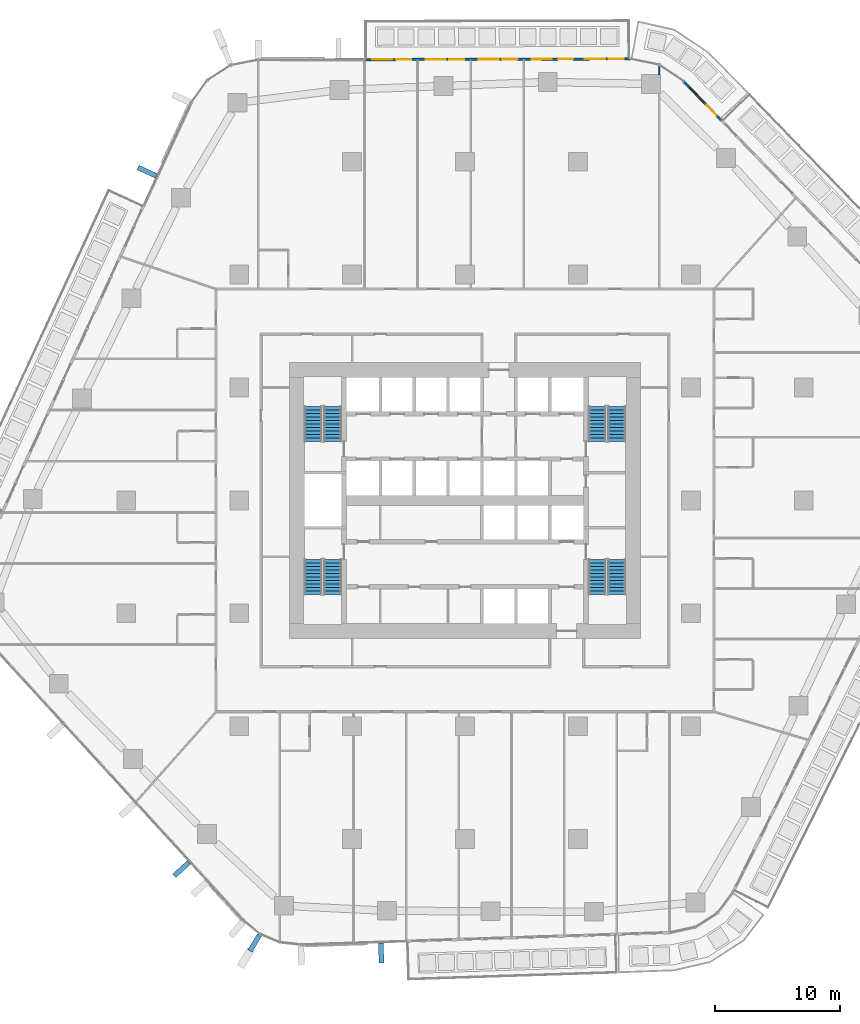
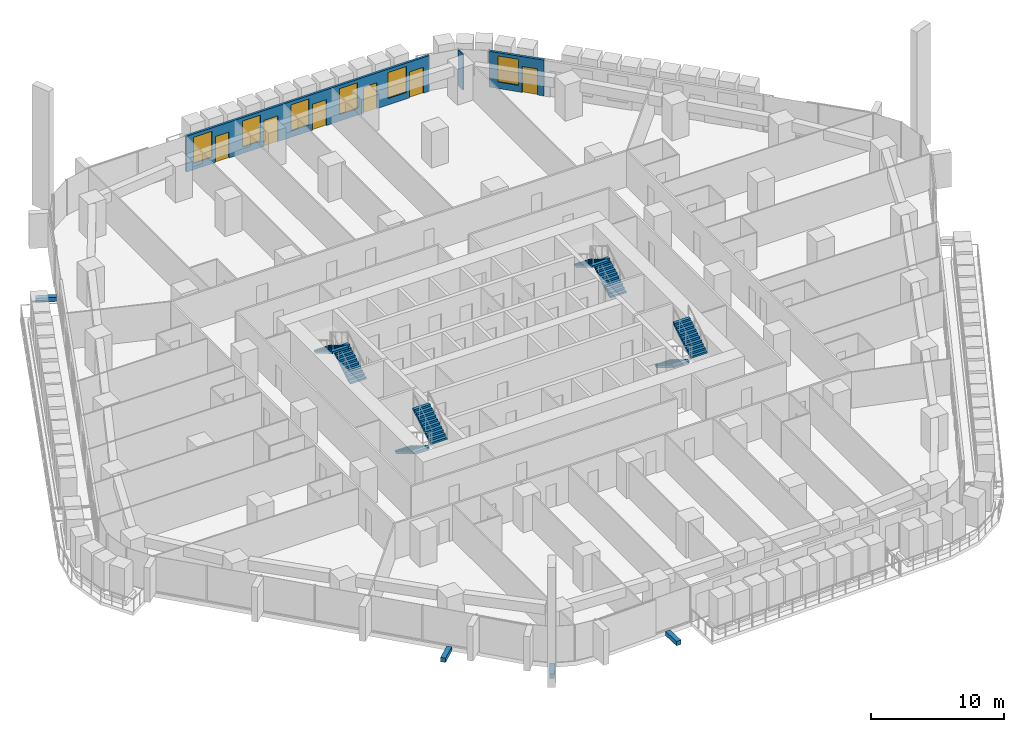
# One storey, part 19 of 27: 8 stair flights, 6 doors, 6 windows, 4 discrete accessories, 3 walls, 12 openings, 4 elements without a shape of their own.
"""IFC4 building model written with IfcOpenShell, lengths in metres."""

from ifc_helpers import new_model, si_unit, direction, frame, frame_2d, origin, origin_2d, place, context, subcontext, project, spatial, polyline, rectangle, outline, extrude, material, layer, layer_set, type_object, element, fill, aggregate, save


model = new_model("IFC4")

# Units and contexts
model_context = context("Model", 3, precision=1e-05, world=origin(), true_north=direction((0.0, 1.0)))
body_context = subcontext(model_context, "Body", "Model", "MODEL_VIEW")
ifc_project = project(units=[si_unit("LENGTHUNIT", "METRE"), si_unit("AREAUNIT", "SQUARE_METRE"), si_unit("VOLUMEUNIT", "CUBIC_METRE"), si_unit("PLANEANGLEUNIT", "RADIAN"), si_unit("MASSUNIT", "GRAM", prefix="KILO")], contexts=[model_context])

# Site, building, storey
site_placement = place(None, origin())
site = spatial("IfcSite", under=ifc_project, at=site_placement, CompositionType="ELEMENT")
building_placement = place(site_placement, origin())
building = spatial("IfcBuilding", under=site, at=building_placement, Name="Dongbaek Canopy Tower", CompositionType="ELEMENT")
storey_placement = place(building_placement, frame((0.0, 0.0, 55.10009765625)))
storey = spatial("IfcBuildingStorey", under=building, at=storey_placement, Name="L09", CompositionType="ELEMENT", Elevation=55.10009765625)

# Wall
ifc_material_1 = material(Name="Gypsum board partition, steel stud, 2 x 12.5 mm board", Category="steel")
ifc_layer_1 = layer(ifc_material_1, 0.10009765625)
ifc_layer_set_1 = layer_set([ifc_layer_1], Name="Partition 100 gypsum board")
wall_type_1 = type_object("IfcWallType", Name="Partition 100 gypsum board", PredefinedType="PARTITIONING", material=ifc_layer_set_1)
wall_1_placement = place(storey_placement, frame((15.47509765625, 33.944091796875, 0.0), z_axis=(0.0, 0.0, 1.0), x_axis=(0.0, 1.0, 0.0)))
element("IfcWall", 1, at=wall_1_placement, inside=storey, type_object=wall_type_1, Name="Partition", PredefinedType="PARTITIONING", context=body_context, shape_type="SweptSolid", body=[
    extrude(rectangle(XDim=0.758544921875, YDim=0.10009765625, at=frame_2d((0.37939453125, 0.0))), origin(), (0.0, 0.0, 1.0), 3.2998046875),
])

# Wall, openings, door, window
ifc_material_2 = material(Name="Aluminium window wall", Category="aluminium")
ifc_layer_2 = layer(ifc_material_2, 0.199951171875)
ifc_layer_set_2 = layer_set([ifc_layer_2], Name="Window wall 200")
wall_type_2 = type_object("IfcWallType", Name="Window wall 200", PredefinedType="SOLIDWALL", material=ifc_layer_set_2)
wall_2_placement = place(storey_placement, frame((20.4130859375, 30.310791015625, 0.0), z_axis=(0.0, 0.0, 1.0), x_axis=(-0.696041877051, 0.718001187598, 0.0)))
wall_2 = element("IfcWall", 2, at=wall_2_placement, inside=storey, type_object=wall_type_2, Name="Window wall L09 6", PredefinedType="SOLIDWALL", context=body_context, shape_type="SweptSolid", body=[
    extrude(rectangle(XDim=4.29150390625, YDim=0.199951171875, at=frame_2d((2.145751953125, 0.0))), origin(), (0.0, 0.0, 1.0), 3.2998046875),
])
opening_1_placement = place(wall_2_placement, frame((2.0, 0.0, 0.60009765625)))
opening_1 = element("IfcOpeningElement", 3, at=opening_1_placement, cuts=wall_2, Name="Opening W1", PredefinedType="OPENING", context=body_context, shape_type="SweptSolid", body=[
    extrude(rectangle(XDim=1.60009765625, YDim=2.39990234375, at=frame_2d((0.800048828125, 1.199951171875))), frame((0.0, 0.10986328125, 0.0), z_axis=(0.0, -1.0, 0.0), x_axis=(1.0, 0.0, 0.0)), (0.0, 0.0, 1.0), 0.219970703125),
])
opening_2_placement = place(wall_2_placement, frame((0.5, 0.0, 0.0)))
opening_2 = element("IfcOpeningElement", 4, at=opening_2_placement, cuts=wall_2, Name="Opening L09-B05", PredefinedType="OPENING", context=body_context, shape_type="SweptSolid", body=[
    extrude(rectangle(XDim=1.199951171875, YDim=2.39990234375, at=frame_2d((0.60009765625, 1.199951171875))), frame((0.0, 0.10986328125, 0.0), z_axis=(0.0, -1.0, 0.0), x_axis=(1.0, 0.0, 0.0)), (0.0, 0.0, 1.0), 0.219970703125),
])
ifc_material_3 = material(Name="Clear glazing in aluminium frame", Category="aluminium")
door_type = type_object("IfcDoorType", Name="Balcony door BD1 1200 x 2400", OperationType="SLIDING_TO_LEFT", PredefinedType="DOOR", material=ifc_material_3)
door_1_placement = place(opening_2_placement, origin())
door_1 = element("IfcDoor", 5, at=door_1_placement, inside=storey, type_object=door_type, Name="Balcony door L09-B05", OperationType="SLIDING_TO_LEFT", OverallHeight=2.39990234375, OverallWidth=1.199951171875, PredefinedType="DOOR", context=body_context, shape_type="SweptSolid", body=[
    extrude(rectangle(XDim=1.199951171875, YDim=2.39990234375, at=frame_2d((0.60009765625, 1.199951171875))), frame((0.0, 0.02490234375, 0.0), z_axis=(0.0, -1.0, 0.0), x_axis=(1.0, 0.0, 0.0)), (0.0, 0.0, 1.0), 0.050048828125),
])
fill(opening_2, door_1)
ifc_material_4 = material(Name="Clear glazing in aluminium frame", Category="aluminium")
window_type = type_object("IfcWindowType", Name="Window W1 1600 x 2400", PartitioningType="SINGLE_PANEL", PredefinedType="WINDOW", material=ifc_material_4)
window_1_placement = place(opening_1_placement, origin())
window_1 = element("IfcWindow", 6, at=window_1_placement, inside=storey, type_object=window_type, Name="Window L09 6.1", OverallHeight=2.39990234375, OverallWidth=1.60009765625, PartitioningType="SINGLE_PANEL", PredefinedType="WINDOW", context=body_context, shape_type="SweptSolid", body=[
    extrude(rectangle(XDim=1.60009765625, YDim=2.39990234375, at=frame_2d((0.800048828125, 1.199951171875))), frame((0.0, 0.030029296875, 0.0), z_axis=(0.0, -1.0, 0.0), x_axis=(1.0, 0.0, 0.0)), (0.0, 0.0, 1.0), 0.06005859375),
])
fill(opening_1, window_1)

# Wall, openings, doors, windows
wall_3_placement = place(storey_placement, frame((13.156982421875, 35.192626953125, 0.0), z_axis=(0.0, 0.0, 1.0), x_axis=(-0.99999645413, -0.00266302965, 0.0)))
wall_3 = element("IfcWall", 7, at=wall_3_placement, inside=storey, type_object=wall_type_2, Name="Window wall L09 2", PredefinedType="SOLIDWALL", context=body_context, shape_type="SweptSolid", body=[
    extrude(rectangle(XDim=21.177490234375, YDim=0.199951171875, at=frame_2d((10.5888671875, 0.0))), origin(), (0.0, 0.0, 1.0), 3.2998046875),
])
opening_3_placement = place(wall_3_placement, frame((2.0, 0.0, 0.60009765625)))
opening_3 = element("IfcOpeningElement", 8, at=opening_3_placement, cuts=wall_3, Name="Opening W1", PredefinedType="OPENING", context=body_context, shape_type="SweptSolid", body=[
    extrude(rectangle(XDim=1.60009765625, YDim=2.39990234375, at=frame_2d((0.800048828125, 1.199951171875))), frame((0.0, 0.10986328125, 0.0), z_axis=(0.0, -1.0, 0.0), x_axis=(1.0, 0.0, 0.0)), (0.0, 0.0, 1.0), 0.219970703125),
])
opening_4_placement = place(wall_3_placement, frame((0.5, 0.0, 0.0)))
opening_4 = element("IfcOpeningElement", 9, at=opening_4_placement, cuts=wall_3, Name="Opening L09-B06", PredefinedType="OPENING", context=body_context, shape_type="SweptSolid", body=[
    extrude(rectangle(XDim=1.199951171875, YDim=2.39990234375, at=frame_2d((0.60009765625, 1.199951171875))), frame((0.0, 0.10986328125, 0.0), z_axis=(0.0, -1.0, 0.0), x_axis=(1.0, 0.0, 0.0)), (0.0, 0.0, 1.0), 0.219970703125),
])
opening_5_placement = place(wall_3_placement, frame((6.235595703125, 0.0, 0.60009765625)))
opening_5 = element("IfcOpeningElement", 10, at=opening_5_placement, cuts=wall_3, Name="Opening W1", PredefinedType="OPENING", context=body_context, shape_type="SweptSolid", body=[
    extrude(rectangle(XDim=1.60009765625, YDim=2.39990234375, at=frame_2d((0.800048828125, 1.199951171875))), frame((0.0, 0.10986328125, 0.0), z_axis=(0.0, -1.0, 0.0), x_axis=(1.0, 0.0, 0.0)), (0.0, 0.0, 1.0), 0.219970703125),
])
opening_6_placement = place(wall_3_placement, frame((4.535400390625, 0.0, 0.0)))
opening_6 = element("IfcOpeningElement", 11, at=opening_6_placement, cuts=wall_3, Name="Opening L09-B07", PredefinedType="OPENING", context=body_context, shape_type="SweptSolid", body=[
    extrude(rectangle(XDim=1.199951171875, YDim=2.39990234375, at=frame_2d((0.60009765625, 1.199951171875))), frame((0.0, 0.10986328125, 0.0), z_axis=(0.0, -1.0, 0.0), x_axis=(1.0, 0.0, 0.0)), (0.0, 0.0, 1.0), 0.219970703125),
])
opening_7_placement = place(wall_3_placement, frame((10.470947265625, 0.0, 0.60009765625)))
opening_7 = element("IfcOpeningElement", 12, at=opening_7_placement, cuts=wall_3, Name="Opening W1", PredefinedType="OPENING", context=body_context, shape_type="SweptSolid", body=[
    extrude(rectangle(XDim=1.60009765625, YDim=2.39990234375, at=frame_2d((0.800048828125, 1.199951171875))), frame((0.0, 0.10986328125, 0.0), z_axis=(0.0, -1.0, 0.0), x_axis=(1.0, 0.0, 0.0)), (0.0, 0.0, 1.0), 0.219970703125),
])
opening_8_placement = place(wall_3_placement, frame((8.970947265625, 0.0, 0.0)))
opening_8 = element("IfcOpeningElement", 13, at=opening_8_placement, cuts=wall_3, Name="Opening L09-B08", PredefinedType="OPENING", context=body_context, shape_type="SweptSolid", body=[
    extrude(rectangle(XDim=1.199951171875, YDim=2.39990234375, at=frame_2d((0.60009765625, 1.199951171875))), frame((0.0, 0.10986328125, 0.0), z_axis=(0.0, -1.0, 0.0), x_axis=(1.0, 0.0, 0.0)), (0.0, 0.0, 1.0), 0.219970703125),
])
opening_9_placement = place(wall_3_placement, frame((14.70654296875, 0.0, 0.60009765625)))
opening_9 = element("IfcOpeningElement", 14, at=opening_9_placement, cuts=wall_3, Name="Opening W1", PredefinedType="OPENING", context=body_context, shape_type="SweptSolid", body=[
    extrude(rectangle(XDim=1.60009765625, YDim=2.39990234375, at=frame_2d((0.800048828125, 1.199951171875))), frame((0.0, 0.10986328125, 0.0), z_axis=(0.0, -1.0, 0.0), x_axis=(1.0, 0.0, 0.0)), (0.0, 0.0, 1.0), 0.219970703125),
])
opening_10_placement = place(wall_3_placement, frame((13.20654296875, 0.0, 0.0)))
opening_10 = element("IfcOpeningElement", 15, at=opening_10_placement, cuts=wall_3, Name="Opening L09-B09", PredefinedType="OPENING", context=body_context, shape_type="SweptSolid", body=[
    extrude(rectangle(XDim=1.199951171875, YDim=2.39990234375, at=frame_2d((0.60009765625, 1.199951171875))), frame((0.0, 0.10986328125, 0.0), z_axis=(0.0, -1.0, 0.0), x_axis=(1.0, 0.0, 0.0)), (0.0, 0.0, 1.0), 0.219970703125),
])
opening_11_placement = place(wall_3_placement, frame((18.942138671875, 0.0, 0.60009765625)))
opening_11 = element("IfcOpeningElement", 16, at=opening_11_placement, cuts=wall_3, Name="Opening W1", PredefinedType="OPENING", context=body_context, shape_type="SweptSolid", body=[
    extrude(rectangle(XDim=1.60009765625, YDim=2.39990234375, at=frame_2d((0.800048828125, 1.199951171875))), frame((0.0, 0.10986328125, 0.0), z_axis=(0.0, -1.0, 0.0), x_axis=(1.0, 0.0, 0.0)), (0.0, 0.0, 1.0), 0.219970703125),
])
opening_12_placement = place(wall_3_placement, frame((17.442138671875, 0.0, 0.0)))
opening_12 = element("IfcOpeningElement", 17, at=opening_12_placement, cuts=wall_3, Name="Opening L09-B10", PredefinedType="OPENING", context=body_context, shape_type="SweptSolid", body=[
    extrude(rectangle(XDim=1.199951171875, YDim=2.39990234375, at=frame_2d((0.60009765625, 1.199951171875))), frame((0.0, 0.10986328125, 0.0), z_axis=(0.0, -1.0, 0.0), x_axis=(1.0, 0.0, 0.0)), (0.0, 0.0, 1.0), 0.219970703125),
])
door_2_placement = place(opening_4_placement, origin())
door_2 = element("IfcDoor", 18, at=door_2_placement, inside=storey, type_object=door_type, Name="Balcony door L09-B06", OperationType="SLIDING_TO_LEFT", OverallHeight=2.39990234375, OverallWidth=1.199951171875, PredefinedType="DOOR", context=body_context, shape_type="SweptSolid", body=[
    extrude(rectangle(XDim=1.199951171875, YDim=2.39990234375, at=frame_2d((0.60009765625, 1.199951171875))), frame((0.0, 0.02490234375, 0.0), z_axis=(0.0, -1.0, 0.0), x_axis=(1.0, 0.0, 0.0)), (0.0, 0.0, 1.0), 0.050048828125),
])
fill(opening_4, door_2)
door_3_placement = place(opening_6_placement, origin())
door_3 = element("IfcDoor", 19, at=door_3_placement, inside=storey, type_object=door_type, Name="Balcony door L09-B07", OperationType="SLIDING_TO_LEFT", OverallHeight=2.39990234375, OverallWidth=1.199951171875, PredefinedType="DOOR", context=body_context, shape_type="SweptSolid", body=[
    extrude(rectangle(XDim=1.199951171875, YDim=2.39990234375, at=frame_2d((0.60009765625, 1.199951171875))), frame((0.0, 0.02490234375, 0.0), z_axis=(0.0, -1.0, 0.0), x_axis=(1.0, 0.0, 0.0)), (0.0, 0.0, 1.0), 0.050048828125),
])
fill(opening_6, door_3)
door_4_placement = place(opening_8_placement, origin())
door_4 = element("IfcDoor", 20, at=door_4_placement, inside=storey, type_object=door_type, Name="Balcony door L09-B08", OperationType="SLIDING_TO_LEFT", OverallHeight=2.39990234375, OverallWidth=1.199951171875, PredefinedType="DOOR", context=body_context, shape_type="SweptSolid", body=[
    extrude(rectangle(XDim=1.199951171875, YDim=2.39990234375, at=frame_2d((0.60009765625, 1.199951171875))), frame((0.0, 0.02490234375, 0.0), z_axis=(0.0, -1.0, 0.0), x_axis=(1.0, 0.0, 0.0)), (0.0, 0.0, 1.0), 0.050048828125),
])
fill(opening_8, door_4)
door_5_placement = place(opening_10_placement, origin())
door_5 = element("IfcDoor", 21, at=door_5_placement, inside=storey, type_object=door_type, Name="Balcony door L09-B09", OperationType="SLIDING_TO_LEFT", OverallHeight=2.39990234375, OverallWidth=1.199951171875, PredefinedType="DOOR", context=body_context, shape_type="SweptSolid", body=[
    extrude(rectangle(XDim=1.199951171875, YDim=2.39990234375, at=frame_2d((0.60009765625, 1.199951171875))), frame((0.0, 0.02490234375, 0.0), z_axis=(0.0, -1.0, 0.0), x_axis=(1.0, 0.0, 0.0)), (0.0, 0.0, 1.0), 0.050048828125),
])
fill(opening_10, door_5)
door_6_placement = place(opening_12_placement, origin())
door_6 = element("IfcDoor", 22, at=door_6_placement, inside=storey, type_object=door_type, Name="Balcony door L09-B10", OperationType="SLIDING_TO_LEFT", OverallHeight=2.39990234375, OverallWidth=1.199951171875, PredefinedType="DOOR", context=body_context, shape_type="SweptSolid", body=[
    extrude(rectangle(XDim=1.199951171875, YDim=2.39990234375, at=frame_2d((0.60009765625, 1.199951171875))), frame((0.0, 0.02490234375, 0.0), z_axis=(0.0, -1.0, 0.0), x_axis=(1.0, 0.0, 0.0)), (0.0, 0.0, 1.0), 0.050048828125),
])
fill(opening_12, door_6)
window_2_placement = place(opening_3_placement, origin())
window_2 = element("IfcWindow", 23, at=window_2_placement, inside=storey, type_object=window_type, Name="Window L09 2.1", OverallHeight=2.39990234375, OverallWidth=1.60009765625, PartitioningType="SINGLE_PANEL", PredefinedType="WINDOW", context=body_context, shape_type="SweptSolid", body=[
    extrude(rectangle(XDim=1.60009765625, YDim=2.39990234375, at=frame_2d((0.800048828125, 1.199951171875))), frame((0.0, 0.030029296875, 0.0), z_axis=(0.0, -1.0, 0.0), x_axis=(1.0, 0.0, 0.0)), (0.0, 0.0, 1.0), 0.06005859375),
])
fill(opening_3, window_2)
window_3_placement = place(opening_5_placement, origin())
window_3 = element("IfcWindow", 24, at=window_3_placement, inside=storey, type_object=window_type, Name="Window L09 2.2", OverallHeight=2.39990234375, OverallWidth=1.60009765625, PartitioningType="SINGLE_PANEL", PredefinedType="WINDOW", context=body_context, shape_type="SweptSolid", body=[
    extrude(rectangle(XDim=1.60009765625, YDim=2.39990234375, at=frame_2d((0.800048828125, 1.199951171875))), frame((0.0, 0.030029296875, 0.0), z_axis=(0.0, -1.0, 0.0), x_axis=(1.0, 0.0, 0.0)), (0.0, 0.0, 1.0), 0.06005859375),
])
fill(opening_5, window_3)
window_4_placement = place(opening_7_placement, origin())
window_4 = element("IfcWindow", 25, at=window_4_placement, inside=storey, type_object=window_type, Name="Window L09 2.3", OverallHeight=2.39990234375, OverallWidth=1.60009765625, PartitioningType="SINGLE_PANEL", PredefinedType="WINDOW", context=body_context, shape_type="SweptSolid", body=[
    extrude(rectangle(XDim=1.60009765625, YDim=2.39990234375, at=frame_2d((0.800048828125, 1.199951171875))), frame((0.0, 0.030029296875, 0.0), z_axis=(0.0, -1.0, 0.0), x_axis=(1.0, 0.0, 0.0)), (0.0, 0.0, 1.0), 0.06005859375),
])
fill(opening_7, window_4)
window_5_placement = place(opening_9_placement, origin())
window_5 = element("IfcWindow", 26, at=window_5_placement, inside=storey, type_object=window_type, Name="Window L09 2.4", OverallHeight=2.39990234375, OverallWidth=1.60009765625, PartitioningType="SINGLE_PANEL", PredefinedType="WINDOW", context=body_context, shape_type="SweptSolid", body=[
    extrude(rectangle(XDim=1.60009765625, YDim=2.39990234375, at=frame_2d((0.800048828125, 1.199951171875))), frame((0.0, 0.030029296875, 0.0), z_axis=(0.0, -1.0, 0.0), x_axis=(1.0, 0.0, 0.0)), (0.0, 0.0, 1.0), 0.06005859375),
])
fill(opening_9, window_5)
window_6_placement = place(opening_11_placement, origin())
window_6 = element("IfcWindow", 27, at=window_6_placement, inside=storey, type_object=window_type, Name="Window L09 2.5", OverallHeight=2.39990234375, OverallWidth=1.60009765625, PartitioningType="SINGLE_PANEL", PredefinedType="WINDOW", context=body_context, shape_type="SweptSolid", body=[
    extrude(rectangle(XDim=1.60009765625, YDim=2.39990234375, at=frame_2d((0.800048828125, 1.199951171875))), frame((0.0, 0.030029296875, 0.0), z_axis=(0.0, -1.0, 0.0), x_axis=(1.0, 0.0, 0.0)), (0.0, 0.0, 1.0), 0.06005859375),
])
fill(opening_11, window_6)

# Stair, stair flights
ifc_material_5 = material(Name="Concrete C40/50", Category="concrete")
stair_type = type_object("IfcStairType", Name="Core exit stair", PredefinedType="HALF_TURN_STAIR", material=ifc_material_5)
stair_1_placement = place(storey_placement, origin())
stair_1 = element("IfcStair", 28, at=stair_1_placement, inside=storey, type_object=stair_type, Name="L09 exit stair A", PredefinedType="HALF_TURN_STAIR")
ifc_material_6 = material(Name="Concrete C40/50", Category="concrete")
ifc_layer_3 = layer(ifc_material_6, 0.14990234375)
ifc_layer_set_3 = layer_set([ifc_layer_3], Name="Core stair flight 150 waist")
stair_flight_type = type_object("IfcStairFlightType", Name="Core stair flight 150 waist", PredefinedType="STRAIGHT", material=ifc_layer_set_3)
stair_flight_1_placement = place(storey_placement, frame((12.10009765625, 4.699951171875, 0.0), z_axis=(0.0, 0.0, 1.0), x_axis=(0.0, 1.0, 0.0)))
stair_flight_1 = element("IfcStairFlight", 29, at=stair_flight_1_placement, type_object=stair_flight_type, Name="ST-A flight 1", NumberOfRisers=11, NumberOfTreads=10, PredefinedType="STRAIGHT", RiserHeight=0.168181818, TreadLength=0.28, context=body_context, shape_type="SweptSolid", body=[
    extrude(outline(polyline([(0.0, 0.0), (0.0, 0.168212890625), (0.280029296875, 0.168212890625), (0.280029296875, 0.33642578125), (0.56005859375, 0.33642578125), (0.56005859375, 0.504638671875), (0.840087890625, 0.504638671875), (0.840087890625, 0.672607421875), (1.1201171875, 0.672607421875), (1.1201171875, 0.8408203125), (1.39990234375, 0.8408203125), (1.39990234375, 1.009033203125), (1.679931640625, 1.009033203125), (1.679931640625, 1.17724609375), (1.9599609375, 1.17724609375), (1.9599609375, 1.345458984375), (2.239990234375, 1.345458984375), (2.239990234375, 1.513671875), (2.52001953125, 1.513671875), (2.52001953125, 1.681884765625), (2.800048828125, 1.681884765625), (2.800048828125, 1.85009765625), (2.800048828125, 1.5068359375), (0.291015625, 0.0), (0.0, 0.0)])), frame((0.0, 0.699951171875, 0.0), z_axis=(0.0, -1.0, 0.0), x_axis=(1.0, 0.0, 0.0)), (0.0, 0.0, 1.0), 1.39990234375),
])
stair_flight_2_placement = place(storey_placement, frame((10.550048828125, 7.5, 1.849853515625), z_axis=(0.0, 0.0, 1.0), x_axis=(0.0, -1.0, 0.0)))
stair_flight_2 = element("IfcStairFlight", 30, at=stair_flight_2_placement, type_object=stair_flight_type, Name="ST-A flight 2", NumberOfRisers=11, NumberOfTreads=10, PredefinedType="STRAIGHT", RiserHeight=0.168181818, TreadLength=0.28, context=body_context, shape_type="SweptSolid", body=[
    extrude(outline(polyline([(0.0, 0.0), (0.0, 0.168212890625), (0.280029296875, 0.168212890625), (0.280029296875, 0.33642578125), (0.56005859375, 0.33642578125), (0.56005859375, 0.504638671875), (0.840087890625, 0.504638671875), (0.840087890625, 0.672607421875), (1.1201171875, 0.672607421875), (1.1201171875, 0.8408203125), (1.39990234375, 0.8408203125), (1.39990234375, 1.009033203125), (1.679931640625, 1.009033203125), (1.679931640625, 1.17724609375), (1.9599609375, 1.17724609375), (1.9599609375, 1.345458984375), (2.239990234375, 1.345458984375), (2.239990234375, 1.513671875), (2.52001953125, 1.513671875), (2.52001953125, 1.681884765625), (2.800048828125, 1.681884765625), (2.800048828125, 1.85009765625), (2.800048828125, 1.5068359375), (0.291015625, 0.0), (0.0, 0.0)])), frame((0.0, 0.699951171875, 0.0), z_axis=(0.0, -1.0, 0.0), x_axis=(1.0, 0.0, 0.0)), (0.0, 0.0, 1.0), 1.39990234375),
])
aggregate(stair_1, [stair_flight_1, stair_flight_2])

stair_2_placement = place(storey_placement, origin())
stair_2 = element("IfcStair", 31, at=stair_2_placement, inside=storey, type_object=stair_type, Name="L09 exit stair C", PredefinedType="HALF_TURN_STAIR")
stair_flight_3_placement = place(storey_placement, frame((-10.550048828125, 4.699951171875, 0.0), z_axis=(0.0, 0.0, 1.0), x_axis=(0.0, 1.0, 0.0)))
stair_flight_3 = element("IfcStairFlight", 32, at=stair_flight_3_placement, type_object=stair_flight_type, Name="ST-C flight 1", NumberOfRisers=11, NumberOfTreads=10, PredefinedType="STRAIGHT", RiserHeight=0.168181818, TreadLength=0.28, context=body_context, shape_type="SweptSolid", body=[
    extrude(outline(polyline([(0.0, 0.0), (0.0, 0.168212890625), (0.280029296875, 0.168212890625), (0.280029296875, 0.33642578125), (0.56005859375, 0.33642578125), (0.56005859375, 0.504638671875), (0.840087890625, 0.504638671875), (0.840087890625, 0.672607421875), (1.1201171875, 0.672607421875), (1.1201171875, 0.8408203125), (1.39990234375, 0.8408203125), (1.39990234375, 1.009033203125), (1.679931640625, 1.009033203125), (1.679931640625, 1.17724609375), (1.9599609375, 1.17724609375), (1.9599609375, 1.345458984375), (2.239990234375, 1.345458984375), (2.239990234375, 1.513671875), (2.52001953125, 1.513671875), (2.52001953125, 1.681884765625), (2.800048828125, 1.681884765625), (2.800048828125, 1.85009765625), (2.800048828125, 1.5068359375), (0.291015625, 0.0), (0.0, 0.0)])), frame((0.0, 0.699951171875, 0.0), z_axis=(0.0, -1.0, 0.0), x_axis=(1.0, 0.0, 0.0)), (0.0, 0.0, 1.0), 1.39990234375),
])
stair_flight_4_placement = place(storey_placement, frame((-12.10009765625, 7.5, 1.849853515625), z_axis=(0.0, 0.0, 1.0), x_axis=(0.0, -1.0, 0.0)))
stair_flight_4 = element("IfcStairFlight", 33, at=stair_flight_4_placement, type_object=stair_flight_type, Name="ST-C flight 2", NumberOfRisers=11, NumberOfTreads=10, PredefinedType="STRAIGHT", RiserHeight=0.168181818, TreadLength=0.28, context=body_context, shape_type="SweptSolid", body=[
    extrude(outline(polyline([(0.0, 0.0), (0.0, 0.168212890625), (0.280029296875, 0.168212890625), (0.280029296875, 0.33642578125), (0.56005859375, 0.33642578125), (0.56005859375, 0.504638671875), (0.840087890625, 0.504638671875), (0.840087890625, 0.672607421875), (1.1201171875, 0.672607421875), (1.1201171875, 0.8408203125), (1.39990234375, 0.8408203125), (1.39990234375, 1.009033203125), (1.679931640625, 1.009033203125), (1.679931640625, 1.17724609375), (1.9599609375, 1.17724609375), (1.9599609375, 1.345458984375), (2.239990234375, 1.345458984375), (2.239990234375, 1.513671875), (2.52001953125, 1.513671875), (2.52001953125, 1.681884765625), (2.800048828125, 1.681884765625), (2.800048828125, 1.85009765625), (2.800048828125, 1.5068359375), (0.291015625, 0.0), (0.0, 0.0)])), frame((0.0, 0.699951171875, 0.0), z_axis=(0.0, -1.0, 0.0), x_axis=(1.0, 0.0, 0.0)), (0.0, 0.0, 1.0), 1.39990234375),
])
aggregate(stair_2, [stair_flight_3, stair_flight_4])

stair_3_placement = place(storey_placement, origin())
stair_3 = element("IfcStair", 34, at=stair_3_placement, inside=storey, type_object=stair_type, Name="L09 exit stair B", PredefinedType="HALF_TURN_STAIR")
stair_flight_5_placement = place(storey_placement, frame((10.550048828125, -4.699951171875, 0.0), z_axis=(0.0, 0.0, 1.0), x_axis=(0.0, -1.0, 0.0)))
stair_flight_5 = element("IfcStairFlight", 35, at=stair_flight_5_placement, type_object=stair_flight_type, Name="ST-B flight 1", NumberOfRisers=11, NumberOfTreads=10, PredefinedType="STRAIGHT", RiserHeight=0.168181818, TreadLength=0.28, context=body_context, shape_type="SweptSolid", body=[
    extrude(outline(polyline([(0.0, 0.0), (0.0, 0.168212890625), (0.280029296875, 0.168212890625), (0.280029296875, 0.33642578125), (0.56005859375, 0.33642578125), (0.56005859375, 0.504638671875), (0.840087890625, 0.504638671875), (0.840087890625, 0.672607421875), (1.1201171875, 0.672607421875), (1.1201171875, 0.8408203125), (1.39990234375, 0.8408203125), (1.39990234375, 1.009033203125), (1.679931640625, 1.009033203125), (1.679931640625, 1.17724609375), (1.9599609375, 1.17724609375), (1.9599609375, 1.345458984375), (2.239990234375, 1.345458984375), (2.239990234375, 1.513671875), (2.52001953125, 1.513671875), (2.52001953125, 1.681884765625), (2.800048828125, 1.681884765625), (2.800048828125, 1.85009765625), (2.800048828125, 1.5068359375), (0.291015625, 0.0), (0.0, 0.0)])), frame((0.0, 0.699951171875, 0.0), z_axis=(0.0, -1.0, 0.0), x_axis=(1.0, 0.0, 0.0)), (0.0, 0.0, 1.0), 1.39990234375),
])
stair_flight_6_placement = place(storey_placement, frame((12.10009765625, -7.5, 1.849853515625), z_axis=(0.0, 0.0, 1.0), x_axis=(0.0, 1.0, 0.0)))
stair_flight_6 = element("IfcStairFlight", 36, at=stair_flight_6_placement, type_object=stair_flight_type, Name="ST-B flight 2", NumberOfRisers=11, NumberOfTreads=10, PredefinedType="STRAIGHT", RiserHeight=0.168181818, TreadLength=0.28, context=body_context, shape_type="SweptSolid", body=[
    extrude(outline(polyline([(0.0, 0.0), (0.0, 0.168212890625), (0.280029296875, 0.168212890625), (0.280029296875, 0.33642578125), (0.56005859375, 0.33642578125), (0.56005859375, 0.504638671875), (0.840087890625, 0.504638671875), (0.840087890625, 0.672607421875), (1.1201171875, 0.672607421875), (1.1201171875, 0.8408203125), (1.39990234375, 0.8408203125), (1.39990234375, 1.009033203125), (1.679931640625, 1.009033203125), (1.679931640625, 1.17724609375), (1.9599609375, 1.17724609375), (1.9599609375, 1.345458984375), (2.239990234375, 1.345458984375), (2.239990234375, 1.513671875), (2.52001953125, 1.513671875), (2.52001953125, 1.681884765625), (2.800048828125, 1.681884765625), (2.800048828125, 1.85009765625), (2.800048828125, 1.5068359375), (0.291015625, 0.0), (0.0, 0.0)])), frame((0.0, 0.699951171875, 0.0), z_axis=(0.0, -1.0, 0.0), x_axis=(1.0, 0.0, 0.0)), (0.0, 0.0, 1.0), 1.39990234375),
])
aggregate(stair_3, [stair_flight_5, stair_flight_6])

stair_4_placement = place(storey_placement, origin())
stair_4 = element("IfcStair", 37, at=stair_4_placement, inside=storey, type_object=stair_type, Name="L09 exit stair D", PredefinedType="HALF_TURN_STAIR")
stair_flight_7_placement = place(storey_placement, frame((-12.10009765625, -4.699951171875, 0.0), z_axis=(0.0, 0.0, 1.0), x_axis=(0.0, -1.0, 0.0)))
stair_flight_7 = element("IfcStairFlight", 38, at=stair_flight_7_placement, type_object=stair_flight_type, Name="ST-D flight 1", NumberOfRisers=11, NumberOfTreads=10, PredefinedType="STRAIGHT", RiserHeight=0.168181818, TreadLength=0.28, context=body_context, shape_type="SweptSolid", body=[
    extrude(outline(polyline([(0.0, 0.0), (0.0, 0.168212890625), (0.280029296875, 0.168212890625), (0.280029296875, 0.33642578125), (0.56005859375, 0.33642578125), (0.56005859375, 0.504638671875), (0.840087890625, 0.504638671875), (0.840087890625, 0.672607421875), (1.1201171875, 0.672607421875), (1.1201171875, 0.8408203125), (1.39990234375, 0.8408203125), (1.39990234375, 1.009033203125), (1.679931640625, 1.009033203125), (1.679931640625, 1.17724609375), (1.9599609375, 1.17724609375), (1.9599609375, 1.345458984375), (2.239990234375, 1.345458984375), (2.239990234375, 1.513671875), (2.52001953125, 1.513671875), (2.52001953125, 1.681884765625), (2.800048828125, 1.681884765625), (2.800048828125, 1.85009765625), (2.800048828125, 1.5068359375), (0.291015625, 0.0), (0.0, 0.0)])), frame((0.0, 0.699951171875, 0.0), z_axis=(0.0, -1.0, 0.0), x_axis=(1.0, 0.0, 0.0)), (0.0, 0.0, 1.0), 1.39990234375),
])
stair_flight_8_placement = place(storey_placement, frame((-10.550048828125, -7.5, 1.849853515625), z_axis=(0.0, 0.0, 1.0), x_axis=(0.0, 1.0, 0.0)))
stair_flight_8 = element("IfcStairFlight", 39, at=stair_flight_8_placement, type_object=stair_flight_type, Name="ST-D flight 2", NumberOfRisers=11, NumberOfTreads=10, PredefinedType="STRAIGHT", RiserHeight=0.168181818, TreadLength=0.28, context=body_context, shape_type="SweptSolid", body=[
    extrude(outline(polyline([(0.0, 0.0), (0.0, 0.168212890625), (0.280029296875, 0.168212890625), (0.280029296875, 0.33642578125), (0.56005859375, 0.33642578125), (0.56005859375, 0.504638671875), (0.840087890625, 0.504638671875), (0.840087890625, 0.672607421875), (1.1201171875, 0.672607421875), (1.1201171875, 0.8408203125), (1.39990234375, 0.8408203125), (1.39990234375, 1.009033203125), (1.679931640625, 1.009033203125), (1.679931640625, 1.17724609375), (1.9599609375, 1.17724609375), (1.9599609375, 1.345458984375), (2.239990234375, 1.345458984375), (2.239990234375, 1.513671875), (2.52001953125, 1.513671875), (2.52001953125, 1.681884765625), (2.800048828125, 1.681884765625), (2.800048828125, 1.85009765625), (2.800048828125, 1.5068359375), (0.291015625, 0.0), (0.0, 0.0)])), frame((0.0, 0.699951171875, 0.0), z_axis=(0.0, -1.0, 0.0), x_axis=(1.0, 0.0, 0.0)), (0.0, 0.0, 1.0), 1.39990234375),
])
aggregate(stair_4, [stair_flight_7, stair_flight_8])

# Discrete accessories
ifc_material_7 = material(Name="Galvanised steel S355 bracket", Category="steel")
discrete_accessory_type = type_object("IfcDiscreteAccessoryType", Name="Crease fin bracket BR3 400", PredefinedType="BRACKET", material=ifc_material_7)
discrete_accessory_1_placement = place(storey_placement, frame((-25.347412109375, 26.20068359375, -0.400146484375), z_axis=(0.0, 0.0, 1.0), x_axis=(-0.908073013966, 0.418811892509, 0.0)))
element("IfcDiscreteAccessory", 40, at=discrete_accessory_1_placement, inside=storey, type_object=discrete_accessory_type, Name="Crease fin bracket L09 F2", PredefinedType="BRACKET", context=body_context, shape_type="SweptSolid", body=[
    extrude(rectangle(XDim=1.581298828125, YDim=0.39990234375, at=origin_2d()), origin(), (0.0, 0.0, 1.0), 0.39990234375),
])
discrete_accessory_2_placement = place(storey_placement, frame((-22.60009765625, -29.399169921875, -0.400146484375), z_axis=(0.0, 0.0, 1.0), x_axis=(-0.737854839525, -0.674959432699, 0.0)))
element("IfcDiscreteAccessory", 41, at=discrete_accessory_2_placement, inside=storey, type_object=discrete_accessory_type, Name="Crease fin bracket L09 F3", PredefinedType="BRACKET", context=body_context, shape_type="SweptSolid", body=[
    extrude(rectangle(XDim=1.58984375, YDim=0.39990234375, at=origin_2d()), origin(), (0.0, 0.0, 1.0), 0.39990234375),
])
discrete_accessory_3_placement = place(storey_placement, frame((-6.68408203125, -36.09521484375, -0.400146484375), z_axis=(0.0, 0.0, 1.0), x_axis=(0.032645818153, -0.999466983225, 0.0)))
element("IfcDiscreteAccessory", 42, at=discrete_accessory_3_placement, inside=storey, type_object=discrete_accessory_type, Name="Crease fin bracket L09 F4", PredefinedType="BRACKET", context=body_context, shape_type="SweptSolid", body=[
    extrude(rectangle(XDim=1.587646484375, YDim=0.39990234375, at=origin_2d()), origin(), (0.0, 0.0, 1.0), 0.39990234375),
])
discrete_accessory_4_placement = place(storey_placement, frame((-16.76318359375, -35.28173828125, -0.400146484375), z_axis=(0.0, 0.0, 1.0), x_axis=(-0.516170126701, -0.856486077121, 0.0)))
element("IfcDiscreteAccessory", 43, at=discrete_accessory_4_placement, inside=storey, type_object=discrete_accessory_type, Name="Corner fin bracket L09 K4", PredefinedType="BRACKET", context=body_context, shape_type="SweptSolid", body=[
    extrude(rectangle(XDim=1.469970703125, YDim=0.39990234375, at=origin_2d()), origin(), (0.0, 0.0, 1.0), 0.39990234375),
])

save(model, "model.ifc")
